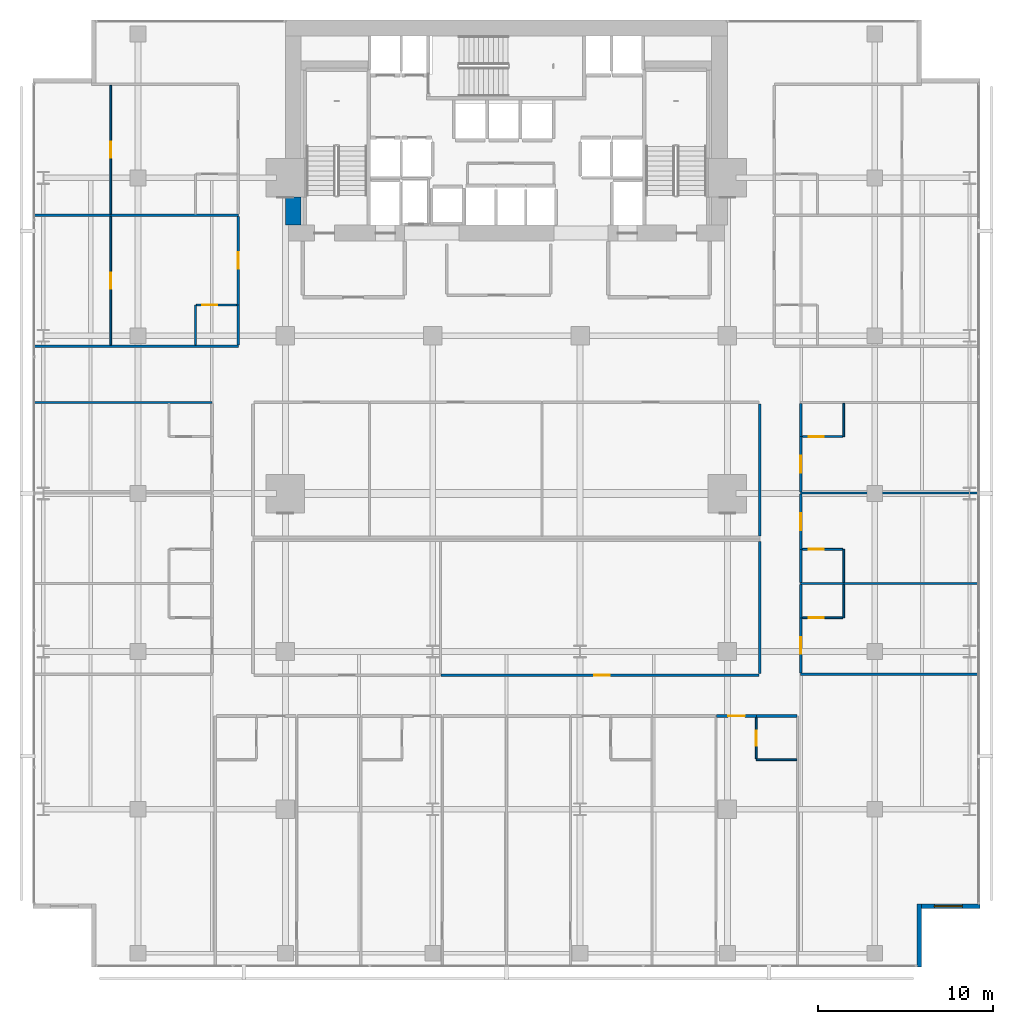
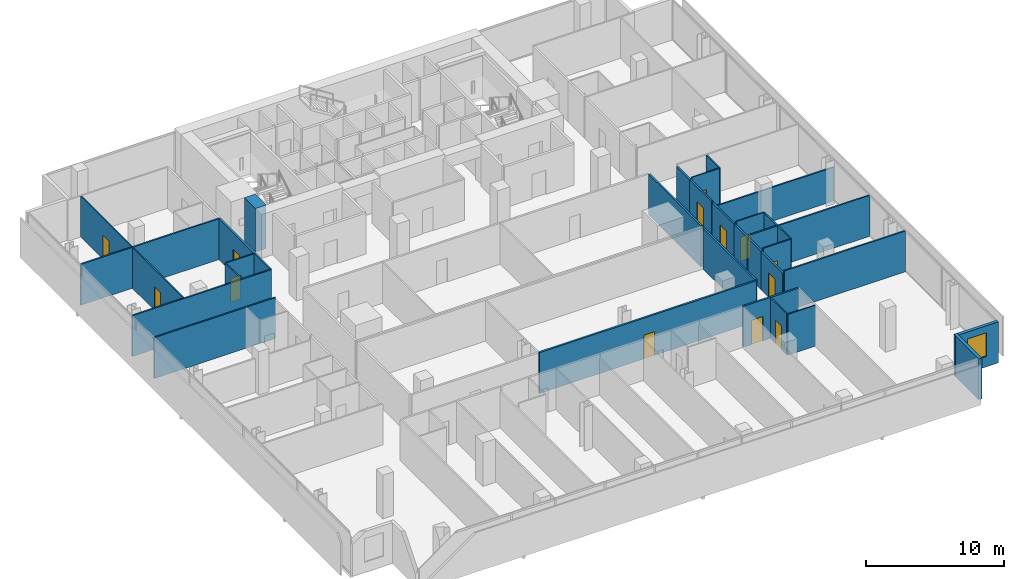
# One storey, part 34 of 40: 34 walls, 13 doors, 1 window, 14 openings.
"""IFC4 building model written with IfcOpenShell, lengths in metres."""

import ifcopenshell
import ifcopenshell.guid

model = None  # the IFC model being written
_history = None  # IfcOwnerHistory: only IFC2X3 demands one
_inside = {}  # id of a spatial element -> (the spatial element, [elements in it])
_under = {}  # id of a project, library or spatial element -> (it, [spatial elements below it])
_declared = {}  # id of a project -> (the project, [libraries it declares])
_typed = {}  # id of a type object -> (the type object, [elements of that type])
_made_of = {}  # id of a material, layer set ... -> (it, [elements and type objects made of it])


def new_model(schema):
    """Start an empty IFC model of exactly this schema.

    Asked for "IFC4X3", IfcOpenShell would pick the latest addendum, in which some entities
    have other attributes; the version numbers below select the first issue.
    IFC2X3 requires an IfcOwnerHistory on every rooted entity: one is made here for all.
    """
    global model, _history
    if schema == "IFC4X3":
        model = ifcopenshell.file(schema_version=(4, 3, 0, 0))
    else:
        model = ifcopenshell.file(schema=schema)
    _inside.clear()
    _under.clear()
    _declared.clear()
    _typed.clear()
    _made_of.clear()
    _history = None
    if model.schema == "IFC2X3":
        org = make("IfcOrganization", Name="unknown")
        user = make(
            "IfcPersonAndOrganization",
            ThePerson=make("IfcPerson", FamilyName="unknown"),
            TheOrganization=org,
        )
        app = make(
            "IfcApplication",
            ApplicationDeveloper=org,
            Version="unknown",
            ApplicationFullName="unknown",
            ApplicationIdentifier="unknown",
        )
        _history = make(
            "IfcOwnerHistory",
            OwningUser=user,
            OwningApplication=app,
            ChangeAction="ADDED",
            CreationDate=0,
        )
    return model


def make(cls, **values):
    """One entity of the class cls with the attributes given. An attribute that is None is left unset."""
    return model.create_entity(
        cls, **{name: value for name, value in values.items() if value is not None}
    )


def rooted(cls, **values):
    """An entity with a GlobalId (a new one), such as an element, a storey or a relation."""
    return make(cls, GlobalId=ifcopenshell.guid.new(), OwnerHistory=_history, **values)


def si_unit(unit_type, name, prefix=None):
    """IfcSIUnit, for example si_unit("LENGTHUNIT", "METRE", prefix="MILLI")."""
    return make("IfcSIUnit", UnitType=unit_type, Prefix=prefix, Name=name)


def assignment(units):
    """IfcUnitAssignment: the units of a project."""
    return None if units is None else make("IfcUnitAssignment", Units=units)


def point(xyz):
    """IfcCartesianPoint."""
    return None if xyz is None else make("IfcCartesianPoint", Coordinates=xyz)


def direction(xyz):
    """IfcDirection."""
    return None if xyz is None else make("IfcDirection", DirectionRatios=xyz)


def frame(location, z_axis=None, x_axis=None):
    """IfcAxis2Placement3D, a coordinate frame: its origin and axes. An axis left out is left unset."""
    return make(
        "IfcAxis2Placement3D",
        Location=point(location),
        Axis=direction(z_axis),
        RefDirection=direction(x_axis),
    )


def frame_2d(location, x_axis=None):
    """IfcAxis2Placement2D, a coordinate frame in the plane: its origin and x axis."""
    return make(
        "IfcAxis2Placement2D", Location=point(location), RefDirection=direction(x_axis)
    )


def origin():
    """The frame at (0, 0, 0) with its axes left unset."""
    return frame((0.0, 0.0, 0.0))


def place(relative_to, where):
    """IfcLocalPlacement: puts the frame where relative to a parent placement (None: the world)."""
    return make(
        "IfcLocalPlacement", PlacementRelTo=relative_to, RelativePlacement=where
    )


def context(
    kind, dimensions, precision=None, world=None, true_north=None, identifier=None
):
    """IfcGeometricRepresentationContext, for example the 3D "Model" context."""
    return make(
        "IfcGeometricRepresentationContext",
        ContextIdentifier=identifier,
        ContextType=kind,
        CoordinateSpaceDimension=dimensions,
        Precision=precision,
        WorldCoordinateSystem=world,
        TrueNorth=true_north,
    )


def subcontext(parent, identifier, kind, view, scale=None):
    """IfcGeometricRepresentationSubContext, for example "Body" below "Model"."""
    return make(
        "IfcGeometricRepresentationSubContext",
        ContextIdentifier=identifier,
        ContextType=kind,
        ParentContext=parent,
        TargetScale=scale,
        TargetView=view,
    )


def project(units=None, contexts=None):
    """IfcProject with its units and contexts."""
    return rooted(
        "IfcProject",
        Name="project",
        RepresentationContexts=contexts,
        UnitsInContext=assignment(units),
    )


def spatial(cls, under=None, at=None, **own):
    """A site, building, storey or space (cls), placed at a placement, below another one or the project."""
    s = rooted(cls, ObjectPlacement=at, **own)
    if under is not None:
        _under.setdefault(under.id(), (under, []))[1].append(s)
    return s


def profile(cls, at=None, kind="AREA", **sizes):
    """A parametric profile (cls). Its sizes go by their IFC names, for example OverallWidth=200.0."""
    return make(cls, ProfileType=kind, Position=at, **sizes)


def rectangle(**sizes):
    """IfcRectangleProfileDef."""
    return profile("IfcRectangleProfileDef", **sizes)


def extrude(swept, where, along, depth):
    """IfcExtrudedAreaSolid: the profile swept, set in the frame where, extruded along a direction by depth."""
    return make(
        "IfcExtrudedAreaSolid",
        SweptArea=swept,
        Position=where,
        ExtrudedDirection=direction(along),
        Depth=depth,
    )


def shape(context_of_items, identifier, shape_type, items):
    """IfcShapeRepresentation: the items that make up one representation, for example the "Body"."""
    return make(
        "IfcShapeRepresentation",
        ContextOfItems=context_of_items,
        RepresentationIdentifier=identifier,
        RepresentationType=shape_type,
        Items=items,
    )


def material(Name=None, Category=None):
    """IfcMaterial."""
    return make("IfcMaterial", Name=Name, Category=Category)


def layer(
    of_material, thickness, ventilated=None, Name=None, Category=None, Priority=None
):
    """IfcMaterialLayer: one layer of a wall or slab, of a material (None: an air gap)."""
    return make(
        "IfcMaterialLayer",
        Material=of_material,
        LayerThickness=thickness,
        IsVentilated=ventilated,
        Name=Name,
        Category=Category,
        Priority=Priority,
    )


def layer_set(layers, Name=None):
    """IfcMaterialLayerSet."""
    return make("IfcMaterialLayerSet", MaterialLayers=layers, LayerSetName=Name)


def made_of(thing, what):
    """Note that an element or type object is made of a material, layer set ...; save() writes the relation."""
    if what is not None:
        _made_of.setdefault(what.id(), (what, []))[1].append(thing)
    return thing


def type_object(cls, material=None, **own):
    """A type object (cls), such as IfcWallType, which elements share."""
    return made_of(rooted(cls, **own), material)


def element(
    cls,
    number,
    at=None,
    inside=None,
    cuts=None,
    type_object=None,
    material=None,
    context=None,
    identifier="Body",
    shape_type=None,
    held_by="IfcProductDefinitionShape",
    body=None,
    shapes=None,
    **own,
):
    """One element of the class cls, such as IfcWall. Its Tag is "e" and its number.

    at: its placement. inside: the storey or other place that contains it. cuts: it is an
    opening in that element (IfcRelVoidsElement). A single representation is given by context,
    identifier, shape_type and body (its items); several are given by shapes. held_by: the class
    of the entity that holds the representations. save() writes the other relations.
    """
    e = rooted(cls, Tag="e%d" % number, ObjectPlacement=at, **own)
    if body is not None:
        shapes = [shape(context, identifier, shape_type, body)]
    if shapes is not None:
        e.Representation = make(held_by, Representations=shapes)
    if inside is not None:
        _inside.setdefault(inside.id(), (inside, []))[1].append(e)
    if cuts is not None:
        rooted(
            "IfcRelVoidsElement", RelatingBuildingElement=cuts, RelatedOpeningElement=e
        )
    if type_object is not None:
        _typed.setdefault(type_object.id(), (type_object, []))[1].append(e)
    return made_of(e, material)


def fill(opening, filler):
    """IfcRelFillsElement: the door or window that sits in an opening."""
    return rooted(
        "IfcRelFillsElement",
        RelatingOpeningElement=opening,
        RelatedBuildingElement=filler,
    )


def aggregate(whole, parts):
    """IfcRelAggregates: a whole, such as a stair, and the parts it consists of."""
    return rooted("IfcRelAggregates", RelatingObject=whole, RelatedObjects=parts)


def save(model, path):
    """Write the relations noted so far, then the file.

    IfcRelAggregates (storeys below a building ...), IfcRelContainedInSpatialStructure (elements
    in a storey), IfcRelDefinesByType, IfcRelAssociatesMaterial and IfcRelDeclares: one each for
    every whole, place, type object, material and project.
    """
    for whole, parts in _under.values():
        aggregate(whole, parts)
    for where, things in _inside.values():
        rooted(
            "IfcRelContainedInSpatialStructure",
            RelatedElements=things,
            RelatingStructure=where,
        )
    for kind, things in _typed.values():
        rooted("IfcRelDefinesByType", RelatedObjects=things, RelatingType=kind)
    for what, things in _made_of.values():
        rooted("IfcRelAssociatesMaterial", RelatedObjects=things, RelatingMaterial=what)
    for by, libraries in _declared.values():
        rooted("IfcRelDeclares", RelatingContext=by, RelatedDefinitions=libraries)
    model.write(path)


model = new_model("IFC4")

# Units and contexts
model_context = context("Model", 3, precision=1e-05, world=origin(), true_north=direction((0.0, 1.0)))
body_context = subcontext(model_context, "Body", "Model", "MODEL_VIEW")
ifc_project = project(units=[si_unit("LENGTHUNIT", "METRE"), si_unit("AREAUNIT", "SQUARE_METRE"), si_unit("VOLUMEUNIT", "CUBIC_METRE"), si_unit("PLANEANGLEUNIT", "RADIAN"), si_unit("MASSUNIT", "GRAM", prefix="KILO")], contexts=[model_context])

# Site, building, storey
site_placement = place(None, origin())
site = spatial("IfcSite", under=ifc_project, at=site_placement, CompositionType="ELEMENT")
building_placement = place(site_placement, origin())
building = spatial("IfcBuilding", under=site, at=building_placement, Name="Maruvema Waterfront Hotel and Observation Tower", CompositionType="ELEMENT")
storey_placement = place(building_placement, frame((0.0, 0.0, 42.35009765625)))
storey = spatial("IfcBuildingStorey", under=building, at=storey_placement, Name="L09", CompositionType="ELEMENT", Elevation=42.35009765625)

# Walls
ifc_material_1 = material(Name="Twin-stud acoustic gypsum drywall", Category="gypsum")
ifc_layer_1 = layer(ifc_material_1, 0.14990234375, Name="Acoustic Corridor and Suite Demising Wall 150 mm")
ifc_layer_set_1 = layer_set([ifc_layer_1], Name="Twin-stud acoustic gypsum drywall")
wall_type_1 = type_object("IfcWallType", Name="Acoustic Corridor and Suite Demising Wall 150 mm", PredefinedType="PARTITIONING", material=ifc_layer_set_1)
wall_1_placement = place(storey_placement, frame((52.25, 24.580078125, 0.0), z_axis=(0.0, 0.0, 1.0), x_axis=(0.0, 1.0, 0.0)))
element("IfcWall", 1, at=wall_1_placement, inside=storey, type_object=wall_type_1, Name="L09 L09-INTN East Wall 018", PredefinedType="PARTITIONING", context=body_context, shape_type="SweptSolid", body=[
    extrude(rectangle(XDim=7.5400390625, YDim=0.14990234375, at=frame_2d((3.77001953125, 0.0))), origin(), (0.0, 0.0, 1.0), 3.60986328125),
])
wall_2_placement = place(storey_placement, frame((52.25, 16.72998046875, 0.0), z_axis=(0.0, 0.0, 1.0), x_axis=(0.0, 1.0, 0.0)))
element("IfcWall", 2, at=wall_2_placement, inside=storey, type_object=wall_type_1, Name="L09 L09-INTS East Wall 026", PredefinedType="PARTITIONING", context=body_context, shape_type="SweptSolid", body=[
    extrude(rectangle(XDim=7.530029296875, YDim=0.14990234375, at=frame_2d((3.76513671875, 0.0))), origin(), (0.0, 0.0, 1.0), 3.60986328125),
])

# Wall, opening, door
wall_3_placement = place(storey_placement, frame((34.072998046875, 16.64990234375, 0.0), z_axis=(0.0, 0.0, 1.0), x_axis=(1.0, 0.0, 0.0)))
wall_3 = element("IfcWall", 3, at=wall_3_placement, inside=storey, type_object=wall_type_1, Name="L09 L09-INTS Front 2 029", PredefinedType="PARTITIONING", context=body_context, shape_type="SweptSolid", body=[
    extrude(rectangle(XDim=18.116943359375, YDim=0.14990234375, at=frame_2d((9.05859375, 0.0))), origin(), (0.0, 0.0, 1.0), 3.60986328125),
])
opening_1_placement = place(wall_3_placement, frame((8.728515625, 0.0, 0.0)))
opening_1 = element("IfcOpeningElement", 4, at=opening_1_placement, cuts=wall_3, Name="Opening DR-090", PredefinedType="OPENING", context=body_context, shape_type="SweptSolid", body=[
    extrude(rectangle(XDim=0.89990234375, YDim=2.10009765625, at=frame_2d((0.449951171875, 1.050048828125))), frame((0.0, 0.0849609375, 0.0), z_axis=(0.0, -1.0, 0.0), x_axis=(1.0, 0.0, 0.0)), (0.0, 0.0, 1.0), 0.169921875),
])
ifc_material_2 = material(Name="Solid-core lacquered timber leaf", Category="wood")
door_type_1 = type_object("IfcDoorType", Name="Accessible Toilet and Room Door 900x2100 mm", OperationType="NOTDEFINED", PredefinedType="DOOR", material=ifc_material_2)
door_1_placement = place(opening_1_placement, frame((0.89990234375, 0.0, 0.0), z_axis=(0.0, 0.0, 1.0), x_axis=(-1.0, 0.0, 0.0)))
door_1 = element("IfcDoor", 5, at=door_1_placement, inside=storey, type_object=door_type_1, Name="L09 Housekeeping Linen Room Door", OperationType="SINGLE_SWING_RIGHT", OverallHeight=2.10009765625, OverallWidth=0.89990234375, PredefinedType="DOOR", context=body_context, shape_type="SweptSolid", body=[
    extrude(rectangle(XDim=0.89990234375, YDim=2.10009765625, at=frame_2d((0.449951171875, 1.050048828125))), frame((0.0, 0.02490234375, 0.0), z_axis=(0.0, -1.0, 0.0), x_axis=(1.0, 0.0, 0.0)), (0.0, 0.0, 1.0), 0.050048828125),
])
fill(opening_1, door_1)

# Wall
wall_4_placement = place(storey_placement, frame((52.050048828125, 14.320068359375, 0.0), z_axis=(0.0, 0.0, 1.0), x_axis=(1.0, 0.0, 0.0)))
element("IfcWall", 6, at=wall_4_placement, inside=storey, type_object=wall_type_1, Name="L09 Bath L09-S4 Back Wall 053", PredefinedType="PARTITIONING", context=body_context, shape_type="SweptSolid", body=[
    extrude(rectangle(XDim=2.329833984375, YDim=0.14990234375, at=frame_2d((1.1650390625, 0.0))), origin(), (0.0, 0.0, 1.0), 3.60986328125),
])

# Wall, opening, door
wall_5_placement = place(storey_placement, frame((49.7919921875, 14.320068359375, 0.0), z_axis=(0.0, 0.0, 1.0), x_axis=(1.0, 0.0, 0.0)))
wall_5 = element("IfcWall", 7, at=wall_5_placement, inside=storey, type_object=wall_type_1, Name="L09 Unit L09-S4 Corridor Wall 057", PredefinedType="PARTITIONING", context=body_context, shape_type="SweptSolid", body=[
    extrude(rectangle(XDim=2.258056640625, YDim=0.14990234375, at=frame_2d((1.12890625, 0.0))), origin(), (0.0, 0.0, 1.0), 3.60986328125),
])
opening_2_placement = place(wall_5_placement, frame((0.654052734375, 0.0, 0.0)))
opening_2 = element("IfcOpeningElement", 8, at=opening_2_placement, cuts=wall_5, Name="Opening DR-095", PredefinedType="OPENING", context=body_context, shape_type="SweptSolid", body=[
    extrude(rectangle(XDim=0.949951171875, YDim=2.14990234375, at=frame_2d((0.47509765625, 1.074951171875))), frame((0.0, 0.0849609375, 0.0), z_axis=(0.0, -1.0, 0.0), x_axis=(1.0, 0.0, 0.0)), (0.0, 0.0, 1.0), 0.169921875),
])
ifc_material_3 = material(Name="Acoustic solid-core hardwood timber leaf", Category="wood")
door_type_2 = type_object("IfcDoorType", Name="Guestroom Entrance Fire Door 950x2150 mm", OperationType="NOTDEFINED", PredefinedType="DOOR", material=ifc_material_3)
door_2_placement = place(opening_2_placement, frame((0.949951171875, 0.0, 0.0), z_axis=(0.0, 0.0, 1.0), x_axis=(-1.0, 0.0, 0.0)))
door_2 = element("IfcDoor", 9, at=door_2_placement, inside=storey, type_object=door_type_2, Name="L09 Unit L09-S4 Entrance Door", OperationType="SINGLE_SWING_LEFT", OverallHeight=2.14990234375, OverallWidth=0.949951171875, PredefinedType="DOOR", context=body_context, shape_type="SweptSolid", body=[
    extrude(rectangle(XDim=0.949951171875, YDim=2.14990234375, at=frame_2d((0.47509765625, 1.074951171875))), frame((0.0, 0.02490234375, 0.0), z_axis=(0.0, -1.0, 0.0), x_axis=(1.0, 0.0, 0.0)), (0.0, 0.0, 1.0), 0.050048828125),
])
fill(opening_2, door_2)

wall_6_placement = place(storey_placement, frame((54.580078125, 16.760009765625, 0.0), z_axis=(0.0, 0.0, 1.0), x_axis=(0.0, 1.0, 0.0)))
wall_6 = element("IfcWall", 10, at=wall_6_placement, inside=storey, type_object=wall_type_1, Name="L09 Room L09-E1 Corridor Wall 067", PredefinedType="PARTITIONING", context=body_context, shape_type="SweptSolid", body=[
    extrude(rectangle(XDim=3.159912109375, YDim=0.14990234375, at=frame_2d((1.580078125, 0.0))), origin(), (0.0, 0.0, 1.0), 3.351806640625),
])
opening_3_placement = place(wall_6_placement, frame((1.10498046875, 0.0, 0.0)))
opening_3 = element("IfcOpeningElement", 11, at=opening_3_placement, cuts=wall_6, Name="Opening DR-095", PredefinedType="OPENING", context=body_context, shape_type="SweptSolid", body=[
    extrude(rectangle(XDim=0.949951171875, YDim=2.14990234375, at=frame_2d((0.47509765625, 1.074951171875))), frame((0.0, 0.0849609375, 0.0), z_axis=(0.0, -1.0, 0.0), x_axis=(1.0, 0.0, 0.0)), (0.0, 0.0, 1.0), 0.169921875),
])
door_3_placement = place(opening_3_placement, frame((0.949951171875, 0.0, 0.0), z_axis=(0.0, 0.0, 1.0), x_axis=(-1.0, 0.0, 0.0)))
door_3 = element("IfcDoor", 12, at=door_3_placement, inside=storey, type_object=door_type_2, Name="L09 Room L09-E1 Entrance Door", OperationType="SINGLE_SWING_RIGHT", OverallHeight=2.14990234375, OverallWidth=0.949951171875, PredefinedType="DOOR", context=body_context, shape_type="SweptSolid", body=[
    extrude(rectangle(XDim=0.949951171875, YDim=2.14990234375, at=frame_2d((0.47509765625, 1.074951171875))), frame((0.0, 0.02490234375, 0.0), z_axis=(0.0, -1.0, 0.0), x_axis=(1.0, 0.0, 0.0)), (0.0, 0.0, 1.0), 0.050048828125),
])
fill(opening_3, door_3)

# Walls
for number, where, z_axis, x_axis, name in (
    (13, (54.580078125, 19.919921875, 0.0), (0.0, 0.0, 1.0), (0.0, 1.0, 0.0), "L09 Bath L09-E1 Wall 068"),
    (14, (54.580078125, 21.929931640625, 0.0), (0.0, 0.0, 1.0), (0.0, 1.0, 0.0), "L09 Bath L09-E2 Wall 077"),
):
    element("IfcWall", number, at=place(storey_placement, frame(where, z_axis=z_axis, x_axis=x_axis)), inside=storey, type_object=wall_type_1, Name=name, PredefinedType="PARTITIONING", context=body_context, shape_type="SweptSolid", body=[
        extrude(rectangle(XDim=1.89013671875, YDim=0.14990234375, at=frame_2d((0.945068359375, 0.0))), origin(), (0.0, 0.0, 1.0), 3.40283203125),
    ])

# Wall, opening, door
wall_7_placement = place(storey_placement, frame((54.580078125, 23.820068359375, 0.0), z_axis=(0.0, 0.0, 1.0), x_axis=(0.0, 1.0, 0.0)))
wall_7 = element("IfcWall", 15, at=wall_7_placement, inside=storey, type_object=wall_type_1, Name="L09 Room L09-E2 Corridor Wall 078", PredefinedType="PARTITIONING", context=body_context, shape_type="SweptSolid", body=[
    extrude(rectangle(XDim=3.14990234375, YDim=0.14990234375, at=frame_2d((1.574951171875, 0.0))), origin(), (0.0, 0.0, 1.0), 3.40283203125),
])
opening_4_placement = place(wall_7_placement, frame((1.10009765625, 0.0, 0.0)))
opening_4 = element("IfcOpeningElement", 16, at=opening_4_placement, cuts=wall_7, Name="Opening DR-095", PredefinedType="OPENING", context=body_context, shape_type="SweptSolid", body=[
    extrude(rectangle(XDim=0.949951171875, YDim=2.14990234375, at=frame_2d((0.47509765625, 1.074951171875))), frame((0.0, 0.0849609375, 0.0), z_axis=(0.0, -1.0, 0.0), x_axis=(1.0, 0.0, 0.0)), (0.0, 0.0, 1.0), 0.169921875),
])
door_4_placement = place(opening_4_placement, frame((0.949951171875, 0.0, 0.0), z_axis=(0.0, 0.0, 1.0), x_axis=(-1.0, 0.0, 0.0)))
door_4 = element("IfcDoor", 17, at=door_4_placement, inside=storey, type_object=door_type_2, Name="L09 Room L09-E2 Entrance Door", OperationType="SINGLE_SWING_RIGHT", OverallHeight=2.14990234375, OverallWidth=0.949951171875, PredefinedType="DOOR", context=body_context, shape_type="SweptSolid", body=[
    extrude(rectangle(XDim=0.949951171875, YDim=2.14990234375, at=frame_2d((0.47509765625, 1.074951171875))), frame((0.0, 0.02490234375, 0.0), z_axis=(0.0, -1.0, 0.0), x_axis=(1.0, 0.0, 0.0)), (0.0, 0.0, 1.0), 0.050048828125),
])
fill(opening_4, door_4)

wall_8_placement = place(storey_placement, frame((54.580078125, 27.090087890625, 0.0), z_axis=(0.0, 0.0, 1.0), x_axis=(0.0, 1.0, 0.0)))
wall_8 = element("IfcWall", 18, at=wall_8_placement, inside=storey, type_object=wall_type_1, Name="L09 Room L09-E3 Corridor Wall 087", PredefinedType="PARTITIONING", context=body_context, shape_type="SweptSolid", body=[
    extrude(rectangle(XDim=3.159912109375, YDim=0.14990234375, at=frame_2d((1.580078125, 0.0))), origin(), (0.0, 0.0, 1.0), 3.456787109375),
])
opening_5_placement = place(wall_8_placement, frame((1.10498046875, 0.0, 0.0)))
opening_5 = element("IfcOpeningElement", 19, at=opening_5_placement, cuts=wall_8, Name="Opening DR-095", PredefinedType="OPENING", context=body_context, shape_type="SweptSolid", body=[
    extrude(rectangle(XDim=0.949951171875, YDim=2.14990234375, at=frame_2d((0.47509765625, 1.074951171875))), frame((0.0, 0.0849609375, 0.0), z_axis=(0.0, -1.0, 0.0), x_axis=(1.0, 0.0, 0.0)), (0.0, 0.0, 1.0), 0.169921875),
])
door_5_placement = place(opening_5_placement, frame((0.949951171875, 0.0, 0.0), z_axis=(0.0, 0.0, 1.0), x_axis=(-1.0, 0.0, 0.0)))
door_5 = element("IfcDoor", 20, at=door_5_placement, inside=storey, type_object=door_type_2, Name="L09 Room L09-E3 Entrance Door", OperationType="SINGLE_SWING_RIGHT", OverallHeight=2.14990234375, OverallWidth=0.949951171875, PredefinedType="DOOR", context=body_context, shape_type="SweptSolid", body=[
    extrude(rectangle(XDim=0.949951171875, YDim=2.14990234375, at=frame_2d((0.47509765625, 1.074951171875))), frame((0.0, 0.02490234375, 0.0), z_axis=(0.0, -1.0, 0.0), x_axis=(1.0, 0.0, 0.0)), (0.0, 0.0, 1.0), 0.050048828125),
])
fill(opening_5, door_5)

# Walls
wall_9_placement = place(storey_placement, frame((54.580078125, 30.25, 0.0), z_axis=(0.0, 0.0, 1.0), x_axis=(0.0, 1.0, 0.0)))
element("IfcWall", 21, at=wall_9_placement, inside=storey, type_object=wall_type_1, Name="L09 Bath L09-E3 Wall 088", PredefinedType="PARTITIONING", context=body_context, shape_type="SweptSolid", body=[
    extrude(rectangle(XDim=1.889892578125, YDim=0.14990234375, at=frame_2d((0.94482421875, 0.0))), origin(), (0.0, 0.0, 1.0), 3.456787109375),
])
wall_10_placement = place(storey_placement, frame((22.52001953125, 35.4599609375, 0.0), z_axis=(0.0, 0.0, 1.0), x_axis=(0.0, 1.0, 0.0)))
element("IfcWall", 22, at=wall_10_placement, inside=storey, type_object=wall_type_1, Name="L09 Bath L09-NW1 Wall 095", PredefinedType="PARTITIONING", context=body_context, shape_type="SweptSolid", body=[
    extrude(rectangle(XDim=2.2900390625, YDim=0.14990234375, at=frame_2d((1.14501953125, 0.0))), origin(), (0.0, 0.0, 1.0), 3.60986328125),
])

# Wall, opening, door
wall_11_placement = place(storey_placement, frame((22.52001953125, 37.75, 0.0), z_axis=(0.0, 0.0, 1.0), x_axis=(0.0, 1.0, 0.0)))
wall_11 = element("IfcWall", 23, at=wall_11_placement, inside=storey, type_object=wall_type_1, Name="L09 Room L09-NW1 Corridor Wall 096", PredefinedType="PARTITIONING", context=body_context, shape_type="SweptSolid", body=[
    extrude(rectangle(XDim=5.05859375, YDim=0.14990234375, at=frame_2d((2.529296875, 0.0))), origin(), (0.0, 0.0, 1.0), 3.60986328125),
])
opening_6_placement = place(wall_11_placement, frame((2.054443359375, 0.0, 0.0)))
opening_6 = element("IfcOpeningElement", 24, at=opening_6_placement, cuts=wall_11, Name="Opening DR-095", PredefinedType="OPENING", context=body_context, shape_type="SweptSolid", body=[
    extrude(rectangle(XDim=0.949951171875, YDim=2.14990234375, at=frame_2d((0.47509765625, 1.074951171875))), frame((0.0, 0.0849609375, 0.0), z_axis=(0.0, -1.0, 0.0), x_axis=(1.0, 0.0, 0.0)), (0.0, 0.0, 1.0), 0.169921875),
])
door_6_placement = place(opening_6_placement, origin())
door_6 = element("IfcDoor", 25, at=door_6_placement, inside=storey, type_object=door_type_2, Name="L09 Room L09-NW1 Entrance Door", OperationType="SINGLE_SWING_RIGHT", OverallHeight=2.14990234375, OverallWidth=0.949951171875, PredefinedType="DOOR", context=body_context, shape_type="SweptSolid", body=[
    extrude(rectangle(XDim=0.949951171875, YDim=2.14990234375, at=frame_2d((0.47509765625, 1.074951171875))), frame((0.0, 0.02490234375, 0.0), z_axis=(0.0, -1.0, 0.0), x_axis=(1.0, 0.0, 0.0)), (0.0, 0.0, 1.0), 0.050048828125),
])
fill(opening_6, door_6)

# Walls
ifc_material_4 = material(Name="Concrete C80/95", Category="concrete")
ifc_layer_2 = layer(ifc_material_4, 0.89990234375, Name="Core Shear Wall 900 mm")
ifc_layer_set_2 = layer_set([ifc_layer_2], Name="Concrete C80/95")
wall_type_2 = type_object("IfcWallType", Name="Core Shear Wall 900 mm", PredefinedType="SHEAR", material=ifc_layer_set_2)
wall_12_placement = place(storey_placement, frame((25.64990234375, 42.300048828125, 0.0), z_axis=(0.0, 0.0, 1.0), x_axis=(0.0, 1.0, 0.0)))
element("IfcWall", 26, at=wall_12_placement, inside=storey, type_object=wall_type_2, Name="L09 West-South Core Shear Wall", PredefinedType="SHEAR", context=body_context, shape_type="SweptSolid", body=[
    extrude(rectangle(XDim=1.599853515625, YDim=0.89990234375, at=frame_2d((0.7998046875, 0.0))), origin(), (0.0, 0.0, 1.0), 3.849853515625),
])
ifc_material_5 = material(Name="Moisture-resistant cement-board drywall", Category="gypsum")
ifc_layer_3 = layer(ifc_material_5, 0.10009765625, Name="En-Suite Moisture-Resistant Partition 100 mm")
ifc_layer_set_3 = layer_set([ifc_layer_3], Name="Moisture-resistant cement-board drywall")
wall_type_3 = type_object("IfcWallType", Name="En-Suite Moisture-Resistant Partition 100 mm", PredefinedType="PARTITIONING", material=ifc_layer_set_3)
wall_13_placement = place(storey_placement, frame((52.050048828125, 11.820068359375, 0.0), z_axis=(0.0, 0.0, 1.0), x_axis=(1.0, 0.0, 0.0)))
element("IfcWall", 27, at=wall_13_placement, inside=storey, type_object=wall_type_3, Name="L09 En-Suite L09-S4 South 054", PredefinedType="PARTITIONING", context=body_context, shape_type="SweptSolid", body=[
    extrude(rectangle(XDim=2.31005859375, YDim=0.10009765625, at=frame_2d((1.155029296875, 0.0))), origin(), (0.0, 0.0, 1.0), 3.60986328125),
])

# Wall, opening, door
wall_14_placement = place(storey_placement, frame((52.050048828125, 11.8798828125, 0.0), z_axis=(0.0, 0.0, 1.0), x_axis=(0.0, 1.0, 0.0)))
wall_14 = element("IfcWall", 28, at=wall_14_placement, inside=storey, type_object=wall_type_3, Name="L09 En-Suite L09-S4 West 055", PredefinedType="PARTITIONING", context=body_context, shape_type="SweptSolid", body=[
    extrude(rectangle(XDim=2.340087890625, YDim=0.10009765625, at=frame_2d((1.169921875, 0.0))), origin(), (0.0, 0.0, 1.0), 3.60986328125),
])
opening_7_placement = place(wall_14_placement, frame((0.7451171875, 0.0, 0.0)))
opening_7 = element("IfcOpeningElement", 29, at=opening_7_placement, cuts=wall_14, Name="Opening DR-085", PredefinedType="OPENING", context=body_context, shape_type="SweptSolid", body=[
    extrude(rectangle(XDim=0.85009765625, YDim=2.10009765625, at=frame_2d((0.425048828125, 1.050048828125))), frame((0.0, 0.06005859375, 0.0), z_axis=(0.0, -1.0, 0.0), x_axis=(1.0, 0.0, 0.0)), (0.0, 0.0, 1.0), 0.1201171875),
])
ifc_material_6 = material(Name="Moisture-resistant solid timber leaf", Category="wood")
door_type_3 = type_object("IfcDoorType", Name="En-Suite Bathroom Door 850x2100 mm", OperationType="NOTDEFINED", PredefinedType="DOOR", material=ifc_material_6)
door_7_placement = place(opening_7_placement, origin())
door_7 = element("IfcDoor", 30, at=door_7_placement, inside=storey, type_object=door_type_3, Name="L09 En-Suite L09-S4 Door", OperationType="SINGLE_SWING_RIGHT", OverallHeight=2.10009765625, OverallWidth=0.85009765625, PredefinedType="DOOR", context=body_context, shape_type="SweptSolid", body=[
    extrude(rectangle(XDim=0.85009765625, YDim=2.10009765625, at=frame_2d((0.425048828125, 1.050048828125))), frame((0.0, 0.02490234375, 0.0), z_axis=(0.0, -1.0, 0.0), x_axis=(1.0, 0.0, 0.0)), (0.0, 0.0, 1.0), 0.050048828125),
])
fill(opening_7, door_7)

# Wall
wall_15_placement = place(storey_placement, frame((57.030029296875, 19.919921875, 0.0), z_axis=(0.0, 0.0, 1.0), x_axis=(0.0, 1.0, 0.0)))
element("IfcWall", 31, at=wall_15_placement, inside=storey, type_object=wall_type_3, Name="L09 En-Suite L09-E1 E 069", PredefinedType="PARTITIONING", context=body_context, shape_type="SweptSolid", body=[
    extrude(rectangle(XDim=1.89013671875, YDim=0.10009765625, at=frame_2d((0.945068359375, 0.0))), origin(), (0.0, 0.0, 1.0), 3.60986328125),
])

# Wall, opening, door
wall_16_placement = place(storey_placement, frame((54.679931640625, 19.919921875, 0.0), z_axis=(0.0, 0.0, 1.0), x_axis=(1.0, 0.0, 0.0)))
wall_16 = element("IfcWall", 32, at=wall_16_placement, inside=storey, type_object=wall_type_3, Name="L09 En-Suite L09-E1 S 070", PredefinedType="PARTITIONING", context=body_context, shape_type="SweptSolid", body=[
    extrude(rectangle(XDim=2.300048828125, YDim=0.10009765625, at=frame_2d((1.14990234375, 0.0))), origin(), (0.0, 0.0, 1.0), 3.60986328125),
])
opening_8_placement = place(wall_16_placement, frame((0.35009765625, 0.0, 0.0)))
opening_8 = element("IfcOpeningElement", 33, at=opening_8_placement, cuts=wall_16, Name="Opening DR-085", PredefinedType="OPENING", context=body_context, shape_type="SweptSolid", body=[
    extrude(rectangle(XDim=0.85009765625, YDim=2.10009765625, at=frame_2d((0.425048828125, 1.050048828125))), frame((0.0, 0.06005859375, 0.0), z_axis=(0.0, -1.0, 0.0), x_axis=(1.0, 0.0, 0.0)), (0.0, 0.0, 1.0), 0.1201171875),
])
door_8_placement = place(opening_8_placement, frame((0.85009765625, 0.0, 0.0), z_axis=(0.0, 0.0, 1.0), x_axis=(-1.0, 0.0, 0.0)))
door_8 = element("IfcDoor", 34, at=door_8_placement, inside=storey, type_object=door_type_3, Name="L09 En-Suite L09-E1 Door", OperationType="SINGLE_SWING_LEFT", OverallHeight=2.10009765625, OverallWidth=0.85009765625, PredefinedType="DOOR", context=body_context, shape_type="SweptSolid", body=[
    extrude(rectangle(XDim=0.85009765625, YDim=2.10009765625, at=frame_2d((0.425048828125, 1.050048828125))), frame((0.0, 0.02490234375, 0.0), z_axis=(0.0, -1.0, 0.0), x_axis=(1.0, 0.0, 0.0)), (0.0, 0.0, 1.0), 0.050048828125),
])
fill(opening_8, door_8)

# Wall
wall_17_placement = place(storey_placement, frame((57.030029296875, 21.929931640625, 0.0), z_axis=(0.0, 0.0, 1.0), x_axis=(0.0, 1.0, 0.0)))
element("IfcWall", 35, at=wall_17_placement, inside=storey, type_object=wall_type_3, Name="L09 En-Suite L09-E2 E 079", PredefinedType="PARTITIONING", context=body_context, shape_type="SweptSolid", body=[
    extrude(rectangle(XDim=1.89013671875, YDim=0.10009765625, at=frame_2d((0.945068359375, 0.0))), origin(), (0.0, 0.0, 1.0), 3.60986328125),
])

# Wall, opening, door
wall_18_placement = place(storey_placement, frame((54.679931640625, 23.820068359375, 0.0), z_axis=(0.0, 0.0, 1.0), x_axis=(1.0, 0.0, 0.0)))
wall_18 = element("IfcWall", 36, at=wall_18_placement, inside=storey, type_object=wall_type_3, Name="L09 En-Suite L09-E2 N 080", PredefinedType="PARTITIONING", context=body_context, shape_type="SweptSolid", body=[
    extrude(rectangle(XDim=2.300048828125, YDim=0.10009765625, at=frame_2d((1.14990234375, 0.0))), origin(), (0.0, 0.0, 1.0), 3.60986328125),
])
opening_9_placement = place(wall_18_placement, frame((0.35009765625, 0.0, 0.0)))
opening_9 = element("IfcOpeningElement", 37, at=opening_9_placement, cuts=wall_18, Name="Opening DR-085", PredefinedType="OPENING", context=body_context, shape_type="SweptSolid", body=[
    extrude(rectangle(XDim=0.85009765625, YDim=2.10009765625, at=frame_2d((0.425048828125, 1.050048828125))), frame((0.0, 0.06005859375, 0.0), z_axis=(0.0, -1.0, 0.0), x_axis=(1.0, 0.0, 0.0)), (0.0, 0.0, 1.0), 0.1201171875),
])
door_9_placement = place(opening_9_placement, origin())
door_9 = element("IfcDoor", 38, at=door_9_placement, inside=storey, type_object=door_type_3, Name="L09 En-Suite L09-E2 Door", OperationType="SINGLE_SWING_LEFT", OverallHeight=2.10009765625, OverallWidth=0.85009765625, PredefinedType="DOOR", context=body_context, shape_type="SweptSolid", body=[
    extrude(rectangle(XDim=0.85009765625, YDim=2.10009765625, at=frame_2d((0.425048828125, 1.050048828125))), frame((0.0, 0.02490234375, 0.0), z_axis=(0.0, -1.0, 0.0), x_axis=(1.0, 0.0, 0.0)), (0.0, 0.0, 1.0), 0.050048828125),
])
fill(opening_9, door_9)

# Wall
wall_19_placement = place(storey_placement, frame((57.030029296875, 30.25, 0.0), z_axis=(0.0, 0.0, 1.0), x_axis=(0.0, 1.0, 0.0)))
element("IfcWall", 39, at=wall_19_placement, inside=storey, type_object=wall_type_3, Name="L09 En-Suite L09-E3 E 089", PredefinedType="PARTITIONING", context=body_context, shape_type="SweptSolid", body=[
    extrude(rectangle(XDim=1.889892578125, YDim=0.10009765625, at=frame_2d((0.94482421875, 0.0))), origin(), (0.0, 0.0, 1.0), 3.60986328125),
])

# Wall, opening, door
wall_20_placement = place(storey_placement, frame((54.679931640625, 30.25, 0.0), z_axis=(0.0, 0.0, 1.0), x_axis=(1.0, 0.0, 0.0)))
wall_20 = element("IfcWall", 40, at=wall_20_placement, inside=storey, type_object=wall_type_3, Name="L09 En-Suite L09-E3 S 090", PredefinedType="PARTITIONING", context=body_context, shape_type="SweptSolid", body=[
    extrude(rectangle(XDim=2.300048828125, YDim=0.10009765625, at=frame_2d((1.14990234375, 0.0))), origin(), (0.0, 0.0, 1.0), 3.60986328125),
])
opening_10_placement = place(wall_20_placement, frame((0.35009765625, 0.0, 0.0)))
opening_10 = element("IfcOpeningElement", 41, at=opening_10_placement, cuts=wall_20, Name="Opening DR-085", PredefinedType="OPENING", context=body_context, shape_type="SweptSolid", body=[
    extrude(rectangle(XDim=0.85009765625, YDim=2.10009765625, at=frame_2d((0.425048828125, 1.050048828125))), frame((0.0, 0.06005859375, 0.0), z_axis=(0.0, -1.0, 0.0), x_axis=(1.0, 0.0, 0.0)), (0.0, 0.0, 1.0), 0.1201171875),
])
door_10_placement = place(opening_10_placement, frame((0.85009765625, 0.0, 0.0), z_axis=(0.0, 0.0, 1.0), x_axis=(-1.0, 0.0, 0.0)))
door_10 = element("IfcDoor", 42, at=door_10_placement, inside=storey, type_object=door_type_3, Name="L09 En-Suite L09-E3 Door", OperationType="SINGLE_SWING_LEFT", OverallHeight=2.10009765625, OverallWidth=0.85009765625, PredefinedType="DOOR", context=body_context, shape_type="SweptSolid", body=[
    extrude(rectangle(XDim=0.85009765625, YDim=2.10009765625, at=frame_2d((0.425048828125, 1.050048828125))), frame((0.0, 0.02490234375, 0.0), z_axis=(0.0, -1.0, 0.0), x_axis=(1.0, 0.0, 0.0)), (0.0, 0.0, 1.0), 0.050048828125),
])
fill(opening_10, door_10)

# Wall
wall_21_placement = place(storey_placement, frame((20.070068359375, 35.4599609375, 0.0), z_axis=(0.0, 0.0, 1.0), x_axis=(0.0, 1.0, 0.0)))
element("IfcWall", 43, at=wall_21_placement, inside=storey, type_object=wall_type_3, Name="L09 En-Suite L09-NW1 W 097", PredefinedType="PARTITIONING", context=body_context, shape_type="SweptSolid", body=[
    extrude(rectangle(XDim=2.2900390625, YDim=0.10009765625, at=frame_2d((1.14501953125, 0.0))), origin(), (0.0, 0.0, 1.0), 3.60986328125),
])

# Wall, opening, door
wall_22_placement = place(storey_placement, frame((20.1201171875, 37.75, 0.0), z_axis=(0.0, 0.0, 1.0), x_axis=(1.0, 0.0, 0.0)))
wall_22 = element("IfcWall", 44, at=wall_22_placement, inside=storey, type_object=wall_type_3, Name="L09 En-Suite L09-NW1 N 098", PredefinedType="PARTITIONING", context=body_context, shape_type="SweptSolid", body=[
    extrude(rectangle(XDim=2.2998046875, YDim=0.10009765625, at=frame_2d((1.14990234375, 0.0))), origin(), (0.0, 0.0, 1.0), 3.60986328125),
])
opening_11_placement = place(wall_22_placement, frame((0.35009765625, 0.0, 0.0)))
opening_11 = element("IfcOpeningElement", 45, at=opening_11_placement, cuts=wall_22, Name="Opening DR-085", PredefinedType="OPENING", context=body_context, shape_type="SweptSolid", body=[
    extrude(rectangle(XDim=0.85009765625, YDim=2.10009765625, at=frame_2d((0.425048828125, 1.050048828125))), frame((0.0, 0.06005859375, 0.0), z_axis=(0.0, -1.0, 0.0), x_axis=(1.0, 0.0, 0.0)), (0.0, 0.0, 1.0), 0.1201171875),
])
door_11_placement = place(opening_11_placement, origin())
door_11 = element("IfcDoor", 46, at=door_11_placement, inside=storey, type_object=door_type_3, Name="L09 En-Suite L09-NW1 Door", OperationType="SINGLE_SWING_LEFT", OverallHeight=2.10009765625, OverallWidth=0.85009765625, PredefinedType="DOOR", context=body_context, shape_type="SweptSolid", body=[
    extrude(rectangle(XDim=0.85009765625, YDim=2.10009765625, at=frame_2d((0.425048828125, 1.050048828125))), frame((0.0, 0.02490234375, 0.0), z_axis=(0.0, -1.0, 0.0), x_axis=(1.0, 0.0, 0.0)), (0.0, 0.0, 1.0), 0.050048828125),
])
fill(opening_11, door_11)

wall_23_placement = place(storey_placement, frame((15.24951171875, 35.4599609375, 0.0), z_axis=(0.0, 0.0, 1.0), x_axis=(0.0, 1.0, 0.0)))
wall_23 = element("IfcWall", 47, at=wall_23_placement, inside=storey, type_object=wall_type_3, Name="L09 Suite L09-NW1 Split 099", PredefinedType="PARTITIONING", context=body_context, shape_type="SweptSolid", body=[
    extrude(rectangle(XDim=7.3486328125, YDim=0.10009765625, at=frame_2d((3.67431640625, 0.0))), origin(), (0.0, 0.0, 1.0), 3.60986328125),
])
opening_12_placement = place(wall_23_placement, frame((3.224365234375, 0.0, 0.0)))
opening_12 = element("IfcOpeningElement", 48, at=opening_12_placement, cuts=wall_23, Name="Opening DR-090", PredefinedType="OPENING", context=body_context, shape_type="SweptSolid", body=[
    extrude(rectangle(XDim=0.89990234375, YDim=2.10009765625, at=frame_2d((0.449951171875, 1.050048828125))), frame((0.0, 0.06005859375, 0.0), z_axis=(0.0, -1.0, 0.0), x_axis=(1.0, 0.0, 0.0)), (0.0, 0.0, 1.0), 0.1201171875),
])
door_12_placement = place(opening_12_placement, origin())
door_12 = element("IfcDoor", 49, at=door_12_placement, inside=storey, type_object=door_type_1, Name="L09 Suite L09-NW1 Bedroom Door", OperationType="SINGLE_SWING_LEFT", OverallHeight=2.10009765625, OverallWidth=0.89990234375, PredefinedType="DOOR", context=body_context, shape_type="SweptSolid", body=[
    extrude(rectangle(XDim=0.89990234375, YDim=2.10009765625, at=frame_2d((0.449951171875, 1.050048828125))), frame((0.0, 0.02490234375, 0.0), z_axis=(0.0, -1.0, 0.0), x_axis=(1.0, 0.0, 0.0)), (0.0, 0.0, 1.0), 0.050048828125),
])
fill(opening_12, door_12)

wall_24_placement = place(storey_placement, frame((15.24951171875, 42.9287109375, 0.0), z_axis=(0.0, 0.0, 1.0), x_axis=(0.0, 1.0, 0.0)))
wall_24 = element("IfcWall", 50, at=wall_24_placement, inside=storey, type_object=wall_type_3, Name="L09 Suite L09-NW2 Split 111", PredefinedType="PARTITIONING", context=body_context, shape_type="SweptSolid", body=[
    extrude(rectangle(XDim=7.348876953125, YDim=0.10009765625, at=frame_2d((3.67431640625, 0.0))), origin(), (0.0, 0.0, 1.0), 3.60986328125),
])
opening_13_placement = place(wall_24_placement, frame((3.224365234375, 0.0, 0.0)))
opening_13 = element("IfcOpeningElement", 51, at=opening_13_placement, cuts=wall_24, Name="Opening DR-090", PredefinedType="OPENING", context=body_context, shape_type="SweptSolid", body=[
    extrude(rectangle(XDim=0.89990234375, YDim=2.10009765625, at=frame_2d((0.449951171875, 1.050048828125))), frame((0.0, 0.06005859375, 0.0), z_axis=(0.0, -1.0, 0.0), x_axis=(1.0, 0.0, 0.0)), (0.0, 0.0, 1.0), 0.1201171875),
])
door_13_placement = place(opening_13_placement, origin())
door_13 = element("IfcDoor", 52, at=door_13_placement, inside=storey, type_object=door_type_1, Name="L09 Suite L09-NW2 Bedroom Door", OperationType="SINGLE_SWING_LEFT", OverallHeight=2.10009765625, OverallWidth=0.89990234375, PredefinedType="DOOR", context=body_context, shape_type="SweptSolid", body=[
    extrude(rectangle(XDim=0.89990234375, YDim=2.10009765625, at=frame_2d((0.449951171875, 1.050048828125))), frame((0.0, 0.02490234375, 0.0), z_axis=(0.0, -1.0, 0.0), x_axis=(1.0, 0.0, 0.0)), (0.0, 0.0, 1.0), 0.050048828125),
])
fill(opening_13, door_13)

# Wall
ifc_material_7 = material(Name="Precast concrete C45/55 with honed Pernambuco granite facing", Category="masonry")
ifc_layer_4 = layer(ifc_material_7, 0.260009765625, Name="Exterior Granite Clad Spandrel and Pier Wall 260 mm")
ifc_layer_set_4 = layer_set([ifc_layer_4], Name="Precast concrete C45/55 with honed Pernambuco granite facing")
wall_type_4 = type_object("IfcWallType", Name="Exterior Granite Clad Spandrel and Pier Wall 260 mm", PredefinedType="SOLIDWALL", material=ifc_layer_set_4)
wall_25_placement = place(storey_placement, frame((61.330078125, 3.60009765625, 0.0), z_axis=(0.0, 0.0, 1.0), x_axis=(0.0, -1.0, 0.0)))
element("IfcWall", 53, at=wall_25_placement, inside=storey, type_object=wall_type_4, Name="L09 Corner Notch Granite Pier Wall SE1", PredefinedType="SOLIDWALL", context=body_context, shape_type="SweptSolid", body=[
    extrude(rectangle(XDim=3.60009765625, YDim=0.260009765625, at=frame_2d((1.800048828125, 0.0))), origin(), (0.0, 0.0, 1.0), 3.60986328125),
])

# Wall, opening, window
wall_26_placement = place(storey_placement, frame((64.800048828125, 3.469970703125, 0.0), z_axis=(0.0, 0.0, 1.0), x_axis=(-1.0, 0.0, 0.0)))
wall_26 = element("IfcWall", 54, at=wall_26_placement, inside=storey, type_object=wall_type_4, Name="L09 Corner Notch Granite Pier Wall SE2", PredefinedType="SOLIDWALL", context=body_context, shape_type="SweptSolid", body=[
    extrude(rectangle(XDim=3.60009765625, YDim=0.260009765625, at=frame_2d((1.800048828125, 0.0))), origin(), (0.0, 0.0, 1.0), 3.60986328125),
])
opening_14_placement = place(wall_26_placement, frame((1.0, 0.0, 0.89990234375)))
opening_14 = element("IfcOpeningElement", 55, at=opening_14_placement, cuts=wall_26, Name="Opening WN-01", PredefinedType="OPENING", context=body_context, shape_type="SweptSolid", body=[
    extrude(rectangle(XDim=1.60009765625, YDim=2.10009765625, at=frame_2d((0.800048828125, 1.050048828125))), frame((0.0, 0.14013671875, 0.0), z_axis=(0.0, -1.0, 0.0), x_axis=(1.0, 0.0, 0.0)), (0.0, 0.0, 1.0), 0.280029296875),
])
ifc_material_8 = material(Name="Anodised bronze aluminium frame with laminated low-E glass", Category="aluminium")
window_type = type_object("IfcWindowType", Name="Corner Notch Feature Window 1600x2100 mm", PartitioningType="SINGLE_PANEL", PredefinedType="WINDOW", material=ifc_material_8)
window_placement = place(opening_14_placement, origin())
window = element("IfcWindow", 56, at=window_placement, inside=storey, type_object=window_type, Name="L09 Corner Notch Punched Window SE2", OverallHeight=2.10009765625, OverallWidth=1.60009765625, PartitioningType="SINGLE_PANEL", PredefinedType="WINDOW", context=body_context, shape_type="SweptSolid", body=[
    extrude(rectangle(XDim=1.60009765625, YDim=2.10009765625, at=frame_2d((0.800048828125, 1.050048828125))), frame((0.0, 0.030029296875, 0.0), z_axis=(0.0, -1.0, 0.0), x_axis=(1.0, 0.0, 0.0)), (0.0, 0.0, 1.0), 0.06005859375),
])
fill(opening_14, window)

# Walls
ifc_material_9 = material(Name="Acoustic gypsum plasterboard drywall", Category="gypsum")
ifc_layer_5 = layer(ifc_material_9, 0.125, Name="Guestroom Acoustic Demising Wall 125 mm")
ifc_layer_set_5 = layer_set([ifc_layer_5], Name="Acoustic gypsum plasterboard drywall")
wall_type_5 = type_object("IfcWallType", Name="Guestroom Acoustic Demising Wall 125 mm", PredefinedType="PARTITIONING", material=ifc_layer_set_5)
wall_27_placement = place(storey_placement, frame((54.580078125, 16.699951171875, 0.0), z_axis=(0.0, 0.0, 1.0), x_axis=(1.0, 0.0, 0.0)))
element("IfcWall", 57, at=wall_27_placement, inside=storey, type_object=wall_type_5, Name="L09 E Bot End 060", PredefinedType="PARTITIONING", context=body_context, shape_type="SweptSolid", body=[
    extrude(rectangle(XDim=10.119873046875, YDim=0.125, at=frame_2d((5.06005859375, 0.0))), origin(), (0.0, 0.0, 1.0), 3.60986328125),
])
wall_28_placement = place(storey_placement, frame((10.89990234375, 32.199951171875, 0.0), z_axis=(0.0, 0.0, 1.0), x_axis=(1.0, 0.0, 0.0)))
element("IfcWall", 58, at=wall_28_placement, inside=storey, type_object=wall_type_5, Name="L09 W Top End 061", PredefinedType="PARTITIONING", context=body_context, shape_type="SweptSolid", body=[
    extrude(rectangle(XDim=10.1201171875, YDim=0.125, at=frame_2d((5.06005859375, 0.0))), origin(), (0.0, 0.0, 1.0), 3.60986328125),
])
wall_29_placement = place(storey_placement, frame((54.580078125, 21.8701171875, 0.0), z_axis=(0.0, 0.0, 1.0), x_axis=(1.0, 0.0, 0.0)))
element("IfcWall", 59, at=wall_29_placement, inside=storey, type_object=wall_type_5, Name="L09 E Demising 2 072", PredefinedType="PARTITIONING", context=body_context, shape_type="SweptSolid", body=[
    extrude(rectangle(XDim=10.119873046875, YDim=0.125, at=frame_2d((5.06005859375, 0.0))), origin(), (0.0, 0.0, 1.0), 3.60986328125),
])
wall_30_placement = place(storey_placement, frame((54.580078125, 27.030029296875, 0.0), z_axis=(0.0, 0.0, 1.0), x_axis=(1.0, 0.0, 0.0)))
element("IfcWall", 60, at=wall_30_placement, inside=storey, type_object=wall_type_5, Name="L09 E Demising 3 082", PredefinedType="PARTITIONING", context=body_context, shape_type="SweptSolid", body=[
    extrude(rectangle(XDim=10.119873046875, YDim=0.125, at=frame_2d((5.06005859375, 0.0))), origin(), (0.0, 0.0, 1.0), 2.98779296875),
])
for number, where, z_axis, x_axis, name in (
    (61, (10.89990234375, 35.39990234375, 0.0), (0.0, 0.0, 1.0), (1.0, 0.0, 0.0), "L09 NW Bot End 091"),
    (62, (10.89990234375, 42.86865234375, 0.0), (0.0, 0.0, 1.0), (1.0, 0.0, 0.0), "L09 NW Demising 2 105"),
):
    element("IfcWall", number, at=place(storey_placement, frame(where, z_axis=z_axis, x_axis=x_axis)), inside=storey, type_object=wall_type_5, Name=name, PredefinedType="PARTITIONING", context=body_context, shape_type="SweptSolid", body=[
        extrude(rectangle(XDim=11.6201171875, YDim=0.125, at=frame_2d((5.81005859375, 0.0))), origin(), (0.0, 0.0, 1.0), 3.60986328125),
    ])

save(model, "model.ifc")
